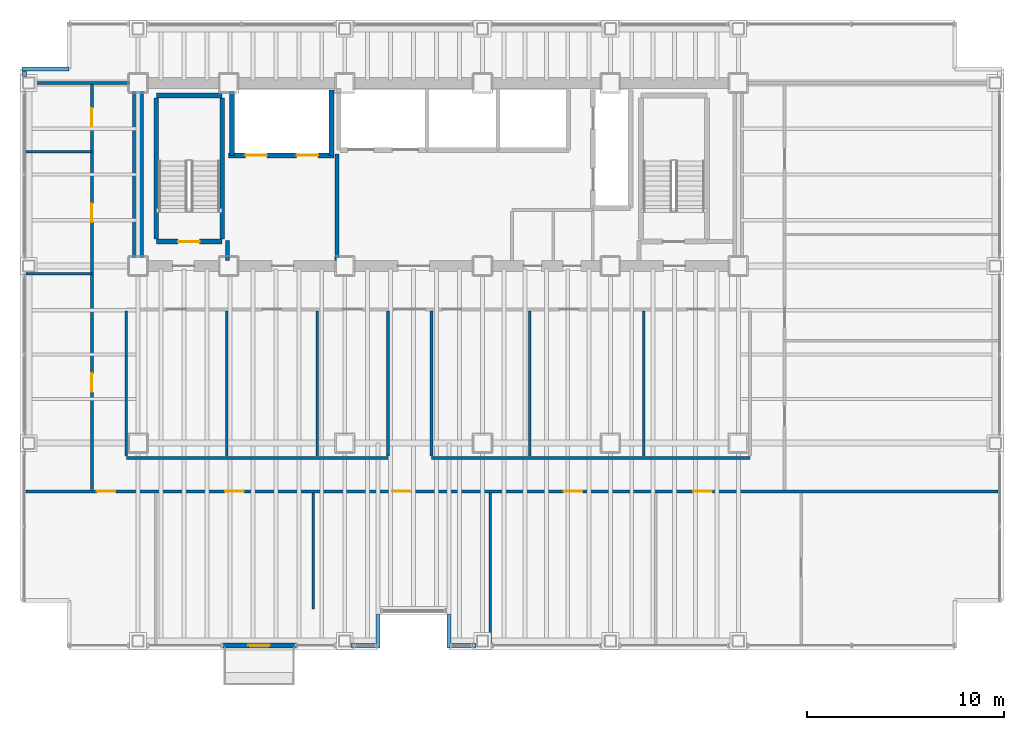
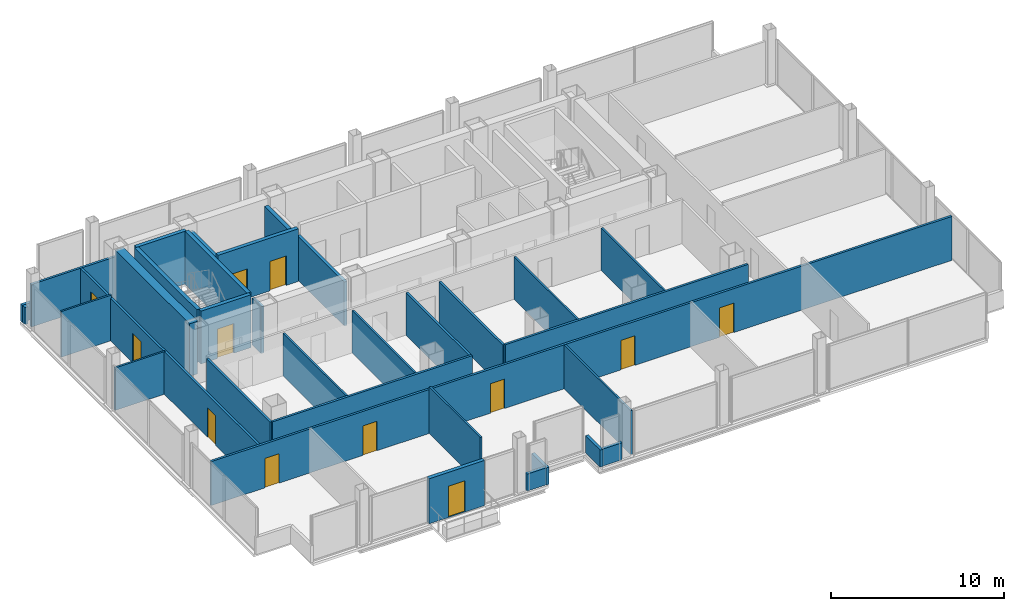
# One storey, part 18 of 21: 33 walls, 12 doors, 12 openings.
"""IFC4 building model written with IfcOpenShell, lengths in metres."""

from ifc_helpers import new_model, si_unit, direction, frame, frame_2d, origin, place, context, subcontext, project, spatial, rectangle, extrude, material, layer, layer_set, type_object, element, fill, save


model = new_model("IFC4")

# Units and contexts
model_context = context("Model", 3, precision=1e-05, world=origin(), true_north=direction((0.0, 1.0)))
body_context = subcontext(model_context, "Body", "Model", "MODEL_VIEW")
ifc_project = project(units=[si_unit("LENGTHUNIT", "METRE"), si_unit("AREAUNIT", "SQUARE_METRE"), si_unit("VOLUMEUNIT", "CUBIC_METRE"), si_unit("PLANEANGLEUNIT", "RADIAN"), si_unit("MASSUNIT", "GRAM", prefix="KILO")], contexts=[model_context])

# Site, building, storey
site_placement = place(None, origin())
site = spatial("IfcSite", under=ifc_project, at=site_placement, CompositionType="ELEMENT")
building_placement = place(site_placement, origin())
building = spatial("IfcBuilding", under=site, at=building_placement, Name="Noeulbin Bourse Tower", CompositionType="ELEMENT")
storey_placement = place(building_placement, frame((0.0, 0.0, 92.800048828125)))
storey = spatial("IfcBuildingStorey", under=building, at=storey_placement, Name="L23", CompositionType="ELEMENT", Elevation=92.800048828125)

# Wall
ifc_material_1 = material(Name="Concrete C60/75", Category="concrete")
ifc_layer_1 = layer(ifc_material_1, 0.550048828125)
ifc_layer_set_1 = layer_set([ifc_layer_1], Name="Concrete C60/75")
wall_type_1 = type_object("IfcWallType", Name="WAL-CORE-550", PredefinedType="SHEAR", material=ifc_layer_set_1)
wall_1_placement = place(storey_placement, frame((13.5, 29.35009765625, 0.0), z_axis=(0.0, 0.0, 1.0), x_axis=(0.0, 1.0, 0.0)))
element("IfcWall", 1, at=wall_1_placement, inside=storey, type_object=wall_type_1, Name="Rear Core West Shear Wall L23", PredefinedType="SHEAR", context=body_context, shape_type="SweptSolid", body=[
    extrude(rectangle(XDim=8.599853515625, YDim=0.550048828125, at=frame_2d((4.2998046875, 0.0))), origin(), (0.0, 0.0, 1.0), 3.719970703125),
])

# Wall, opening, door
ifc_material_2 = material(Name="Precast Concrete C40/50", Category="concrete")
ifc_layer_2 = layer(ifc_material_2, 0.25)
ifc_layer_set_2 = layer_set([ifc_layer_2], Name="Precast Concrete C40/50")
wall_type_2 = type_object("IfcWallType", Name="WAL-EXT-250", PredefinedType="STANDARD", material=ifc_layer_set_2)
wall_2_placement = place(storey_placement, frame((17.800048828125, 9.719970703125, 0.0), z_axis=(0.0, 0.0, 1.0), x_axis=(1.0, 0.0, 0.0)))
wall_2 = element("IfcWall", 2, at=wall_2_placement, inside=storey, type_object=wall_type_2, Name="Balcony Threshold Wall L23", PredefinedType="STANDARD", context=body_context, shape_type="SweptSolid", body=[
    extrude(rectangle(XDim=3.699951171875, YDim=0.25, at=frame_2d((1.85009765625, 0.0))), origin(), (0.0, 0.0, 1.0), 3.179931640625),
])
opening_1_placement = place(wall_2_placement, frame((1.300048828125, 0.0, 0.0)))
opening_1 = element("IfcOpeningElement", 3, at=opening_1_placement, cuts=wall_2, Name="Opening BD-11", PredefinedType="OPENING", context=body_context, shape_type="SweptSolid", body=[
    extrude(rectangle(XDim=1.10009765625, YDim=2.199951171875, at=frame_2d((0.550048828125, 1.10009765625))), frame((0.0, 0.135009765625, 0.0), z_axis=(0.0, -1.0, 0.0), x_axis=(1.0, 0.0, 0.0)), (0.0, 0.0, 1.0), 0.27001953125),
])
ifc_material_3 = material(Name="Thermally Broken Aluminium Framed Glass", Category="aluminium")
door_type_1 = type_object("IfcDoorType", Name="DR-BAL-1100", OperationType="SINGLE_SWING_LEFT", PredefinedType="DOOR", material=ifc_material_3)
door_1_placement = place(opening_1_placement, origin())
door_1 = element("IfcDoor", 4, at=door_1_placement, inside=storey, type_object=door_type_1, Name="Tree-Balcony Access Door BD-L23", OperationType="SINGLE_SWING_LEFT", OverallHeight=2.199951171875, OverallWidth=1.10009765625, PredefinedType="DOOR", context=body_context, shape_type="SweptSolid", body=[
    extrude(rectangle(XDim=1.10009765625, YDim=2.199951171875, at=frame_2d((0.550048828125, 1.10009765625))), frame((0.0, 0.02490234375, 0.0), z_axis=(0.0, -1.0, 0.0), x_axis=(1.0, 0.0, 0.0)), (0.0, 0.0, 1.0), 0.050048828125),
])
fill(opening_1, door_1)

# Walls
ifc_material_4 = material(Name="Concrete C40/50", Category="concrete")
ifc_layer_3 = layer(ifc_material_4, 0.199951171875)
ifc_layer_set_3 = layer_set([ifc_layer_3], Name="Concrete C40/50")
wall_type_3 = type_object("IfcWallType", Name="WAL-FIRE-200", PredefinedType="STANDARD", material=ifc_layer_set_3)
wall_3_placement = place(storey_placement, frame((18.050048828125, 29.284912109375, 0.0), z_axis=(0.0, 0.0, 1.0), x_axis=(0.0, 1.0, 0.0)))
element("IfcWall", 5, at=wall_3_placement, inside=storey, type_object=wall_type_3, Name="Interior Partition Wall L23-13", PredefinedType="STANDARD", context=body_context, shape_type="SweptSolid", body=[
    extrude(rectangle(XDim=1.01513671875, YDim=0.199951171875, at=frame_2d((0.507568359375, 0.0))), origin(), (0.0, 0.0, 1.0), 3.300048828125),
])
wall_4_placement = place(storey_placement, frame((23.60009765625, 29.284912109375, 0.0), z_axis=(0.0, 0.0, 1.0), x_axis=(0.0, 1.0, 0.0)))
element("IfcWall", 6, at=wall_4_placement, inside=storey, type_object=wall_type_3, Name="Interior Partition Wall L23-15", PredefinedType="STANDARD", context=body_context, shape_type="SweptSolid", body=[
    extrude(rectangle(XDim=5.4150390625, YDim=0.199951171875, at=frame_2d((2.70751953125, 0.0))), origin(), (0.0, 0.0, 1.0), 3.099853515625),
])
ifc_layer_4 = layer(ifc_material_4, 0.199951171875)
ifc_layer_set_4 = layer_set([ifc_layer_4], Name="Concrete C40/50")
wall_type_4 = type_object("IfcWallType", Name="WAL-PAR-200", PredefinedType="PARAPET", material=ifc_layer_set_4)
wall_5_placement = place(storey_placement, frame((7.719970703125, 38.6201171875, 0.0), z_axis=(0.0, 0.0, 1.0), x_axis=(0.0, 1.0, 0.0)))
element("IfcWall", 7, at=wall_5_placement, inside=storey, type_object=wall_type_4, Name="Perimeter Pier Spandrel Parapet L23-W1", PredefinedType="PARAPET", context=body_context, shape_type="SweptSolid", body=[
    extrude(rectangle(XDim=0.27978515625, YDim=0.199951171875, at=frame_2d((0.139892578125, 0.0))), origin(), (0.0, 0.0, 1.0), 1.199951171875),
])
for number, where, z_axis, x_axis, name in (
    (8, (24.320068359375, 9.719970703125, 0.0), (0.0, 0.0, 1.0), (1.0, 0.0, 0.0), "Perimeter Pier Spandrel Parapet L23-S3"),
    (9, (29.35009765625, 9.719970703125, 0.0), (0.0, 0.0, 1.0), (1.0, 0.0, 0.0), "Perimeter Pier Spandrel Parapet L23-S4"),
):
    element("IfcWall", number, at=place(storey_placement, frame(where, z_axis=z_axis, x_axis=x_axis)), inside=storey, type_object=wall_type_4, Name=name, PredefinedType="PARAPET", context=body_context, shape_type="SweptSolid", body=[
        extrude(rectangle(XDim=1.329833984375, YDim=0.199951171875, at=frame_2d((0.6650390625, 0.0))), origin(), (0.0, 0.0, 1.0), 1.199951171875),
    ])
wall_6_placement = place(storey_placement, frame((7.60009765625, 39.0, 0.0), z_axis=(0.0, 0.0, 1.0), x_axis=(1.0, 0.0, 0.0)))
element("IfcWall", 10, at=wall_6_placement, inside=storey, type_object=wall_type_4, Name="Corner Notch Parapet L23-NW1", PredefinedType="PARAPET", context=body_context, shape_type="SweptSolid", body=[
    extrude(rectangle(XDim=2.39990234375, YDim=0.199951171875, at=frame_2d((1.199951171875, 0.0))), origin(), (0.0, 0.0, 1.0), 1.199951171875),
])
for number, where, z_axis, x_axis, name in (
    (11, (25.699951171875, 9.60009765625, 0.0), (0.0, 0.0, 1.0), (0.0, 1.0, 0.0), "Sky-Garden Recess Parapet L23-W"),
    (12, (29.300048828125, 11.300048828125, 0.0), (0.0, 0.0, 1.0), (0.0, -1.0, 0.0), "Sky-Garden Recess Parapet L23-E"),
):
    element("IfcWall", number, at=place(storey_placement, frame(where, z_axis=z_axis, x_axis=x_axis)), inside=storey, type_object=wall_type_4, Name=name, PredefinedType="PARAPET", context=body_context, shape_type="SweptSolid", body=[
        extrude(rectangle(XDim=1.699951171875, YDim=0.199951171875, at=frame_2d((0.85009765625, 0.0))), origin(), (0.0, 0.0, 1.0), 1.199951171875),
    ])
ifc_material_5 = material(Name="Steel Stud Gypsum Partition", Category="steel")
ifc_layer_5 = layer(ifc_material_5, 0.1201171875)
ifc_layer_set_5 = layer_set([ifc_layer_5], Name="Steel Stud Gypsum Partition")
wall_type_5 = type_object("IfcWallType", Name="WAL-PRT-120", PredefinedType="PARTITIONING", material=ifc_layer_set_5)
wall_7_placement = place(storey_placement, frame((7.81005859375, 28.60009765625, 0.0), z_axis=(0.0, 0.0, 1.0), x_axis=(1.0, 0.0, 0.0)))
element("IfcWall", 13, at=wall_7_placement, inside=storey, type_object=wall_type_5, Name="Interior Partition Wall L23-09", PredefinedType="PARTITIONING", context=body_context, shape_type="SweptSolid", body=[
    extrude(rectangle(XDim=3.33984375, YDim=0.1201171875, at=frame_2d((1.669921875, 0.0))), origin(), (0.0, 0.0, 1.0), 3.0),
])
wall_8_placement = place(storey_placement, frame((7.81005859375, 34.800048828125, 0.0), z_axis=(0.0, 0.0, 1.0), x_axis=(1.0, 0.0, 0.0)))
element("IfcWall", 14, at=wall_8_placement, inside=storey, type_object=wall_type_5, Name="Interior Partition Wall L23-10", PredefinedType="PARTITIONING", context=body_context, shape_type="SweptSolid", body=[
    extrude(rectangle(XDim=3.33984375, YDim=0.1201171875, at=frame_2d((1.669921875, 0.0))), origin(), (0.0, 0.0, 1.0), 3.2119140625),
])
wall_9_placement = place(storey_placement, frame((22.39990234375, 11.570068359375, 0.0), z_axis=(0.0, 0.0, 1.0), x_axis=(0.0, 1.0, 0.0)))
element("IfcWall", 15, at=wall_9_placement, inside=storey, type_object=wall_type_5, Name="Interior Partition Wall L23-26", PredefinedType="PARTITIONING", context=body_context, shape_type="SweptSolid", body=[
    extrude(rectangle(XDim=5.89501953125, YDim=0.1201171875, at=frame_2d((2.947509765625, 0.0))), origin(), (0.0, 0.0, 1.0), 3.300048828125),
])
wall_10_placement = place(storey_placement, frame((31.39990234375, 9.81005859375, 0.0), z_axis=(0.0, 0.0, 1.0), x_axis=(0.0, 1.0, 0.0)))
element("IfcWall", 16, at=wall_10_placement, inside=storey, type_object=wall_type_5, Name="Interior Partition Wall L23-27", PredefinedType="PARTITIONING", context=body_context, shape_type="SweptSolid", body=[
    extrude(rectangle(XDim=7.655029296875, YDim=0.1201171875, at=frame_2d((3.82763671875, 0.0))), origin(), (0.0, 0.0, 1.0), 3.099853515625),
])
for number, where, z_axis, x_axis, name in (
    (17, (18.0, 19.3349609375, 0.0), (0.0, 0.0, 1.0), (0.0, 1.0, 0.0), "Interior Partition Wall L23-30"),
    (18, (22.60009765625, 19.3349609375, 0.0), (0.0, 0.0, 1.0), (0.0, 1.0, 0.0), "Interior Partition Wall L23-31"),
    (19, (33.39990234375, 19.3349609375, 0.0), (0.0, 0.0, 1.0), (0.0, 1.0, 0.0), "Interior Partition Wall L23-32"),
    (20, (39.199951171875, 19.3349609375, 0.0), (0.0, 0.0, 1.0), (0.0, 1.0, 0.0), "Interior Partition Wall L23-33"),
):
    element("IfcWall", number, at=place(storey_placement, frame(where, z_axis=z_axis, x_axis=x_axis)), inside=storey, type_object=wall_type_5, Name=name, PredefinedType="PARTITIONING", context=body_context, shape_type="SweptSolid", body=[
        extrude(rectangle(XDim=7.380126953125, YDim=0.1201171875, at=frame_2d((3.68994140625, 0.0))), origin(), (0.0, 0.0, 1.0), 3.0),
    ])

# Wall, openings, doors
ifc_material_6 = material(Name="Steel Stud Acoustic Gypsum Board", Category="steel")
ifc_layer_6 = layer(ifc_material_6, 0.14990234375)
ifc_layer_set_6 = layer_set([ifc_layer_6], Name="Steel Stud Acoustic Gypsum Board")
wall_type_6 = type_object("IfcWallType", Name="WAL-PRT-150", PredefinedType="PARTITIONING", material=ifc_layer_set_6)
wall_11_placement = place(storey_placement, frame((7.81005859375, 17.550048828125, 0.0), z_axis=(0.0, 0.0, 1.0), x_axis=(1.0, 0.0, 0.0)))
wall_11 = element("IfcWall", 21, at=wall_11_placement, inside=storey, type_object=wall_type_6, Name="Interior Partition Wall L23-04", PredefinedType="PARTITIONING", context=body_context, shape_type="SweptSolid", body=[
    extrude(rectangle(XDim=49.3798828125, YDim=0.14990234375, at=frame_2d((24.68994140625, 0.0))), origin(), (0.0, 0.0, 1.0), 3.099853515625),
])
opening_2_placement = place(wall_11_placement, frame((3.590087890625, 0.0, 0.0)))
opening_2 = element("IfcOpeningElement", 22, at=opening_2_placement, cuts=wall_11, Name="Opening ID-09", PredefinedType="OPENING", context=body_context, shape_type="SweptSolid", body=[
    extrude(rectangle(XDim=0.949951171875, YDim=2.080078125, at=frame_2d((0.47509765625, 1.0400390625))), frame((0.0, 0.0849609375, 0.0), z_axis=(0.0, -1.0, 0.0), x_axis=(1.0, 0.0, 0.0)), (0.0, 0.0, 1.0), 0.169921875),
])
opening_3_placement = place(wall_11_placement, frame((10.114990234375, 0.0, 0.0)))
opening_3 = element("IfcOpeningElement", 23, at=opening_3_placement, cuts=wall_11, Name="Opening ID-09", PredefinedType="OPENING", context=body_context, shape_type="SweptSolid", body=[
    extrude(rectangle(XDim=0.949951171875, YDim=2.080078125, at=frame_2d((0.47509765625, 1.0400390625))), frame((0.0, 0.0849609375, 0.0), z_axis=(0.0, -1.0, 0.0), x_axis=(1.0, 0.0, 0.0)), (0.0, 0.0, 1.0), 0.169921875),
])
opening_4_placement = place(wall_11_placement, frame((18.614990234375, 0.0, 0.0)))
opening_4 = element("IfcOpeningElement", 24, at=opening_4_placement, cuts=wall_11, Name="Opening ID-09", PredefinedType="OPENING", context=body_context, shape_type="SweptSolid", body=[
    extrude(rectangle(XDim=0.949951171875, YDim=2.080078125, at=frame_2d((0.47509765625, 1.0400390625))), frame((0.0, 0.0849609375, 0.0), z_axis=(0.0, -1.0, 0.0), x_axis=(1.0, 0.0, 0.0)), (0.0, 0.0, 1.0), 0.169921875),
])
opening_5_placement = place(wall_11_placement, frame((27.31494140625, 0.0, 0.0)))
opening_5 = element("IfcOpeningElement", 25, at=opening_5_placement, cuts=wall_11, Name="Opening ID-09", PredefinedType="OPENING", context=body_context, shape_type="SweptSolid", body=[
    extrude(rectangle(XDim=0.949951171875, YDim=2.080078125, at=frame_2d((0.47509765625, 1.0400390625))), frame((0.0, 0.0849609375, 0.0), z_axis=(0.0, -1.0, 0.0), x_axis=(1.0, 0.0, 0.0)), (0.0, 0.0, 1.0), 0.169921875),
])
opening_6_placement = place(wall_11_placement, frame((33.889892578125, 0.0, 0.0)))
opening_6 = element("IfcOpeningElement", 26, at=opening_6_placement, cuts=wall_11, Name="Opening ID-09", PredefinedType="OPENING", context=body_context, shape_type="SweptSolid", body=[
    extrude(rectangle(XDim=0.949951171875, YDim=2.080078125, at=frame_2d((0.47509765625, 1.0400390625))), frame((0.0, 0.0849609375, 0.0), z_axis=(0.0, -1.0, 0.0), x_axis=(1.0, 0.0, 0.0)), (0.0, 0.0, 1.0), 0.169921875),
])
ifc_material_7 = material(Name="Acoustic Solid-Core Timber", Category="wood")
door_type_2 = type_object("IfcDoorType", Name="DR-SINGLE-950", OperationType="SINGLE_SWING_LEFT", PredefinedType="DOOR", material=ifc_material_7)
door_2_placement = place(opening_2_placement, origin())
door_2 = element("IfcDoor", 27, at=door_2_placement, inside=storey, type_object=door_type_2, Name="Interior Door L23-08", OperationType="SINGLE_SWING_RIGHT", OverallHeight=2.080078125, OverallWidth=0.949951171875, PredefinedType="DOOR", context=body_context, shape_type="SweptSolid", body=[
    extrude(rectangle(XDim=0.949951171875, YDim=2.080078125, at=frame_2d((0.47509765625, 1.0400390625))), frame((0.0, 0.02490234375, 0.0), z_axis=(0.0, -1.0, 0.0), x_axis=(1.0, 0.0, 0.0)), (0.0, 0.0, 1.0), 0.050048828125),
])
fill(opening_2, door_2)
door_3_placement = place(opening_3_placement, origin())
door_3 = element("IfcDoor", 28, at=door_3_placement, inside=storey, type_object=door_type_2, Name="Interior Door L23-09", OperationType="SINGLE_SWING_LEFT", OverallHeight=2.080078125, OverallWidth=0.949951171875, PredefinedType="DOOR", context=body_context, shape_type="SweptSolid", body=[
    extrude(rectangle(XDim=0.949951171875, YDim=2.080078125, at=frame_2d((0.47509765625, 1.0400390625))), frame((0.0, 0.02490234375, 0.0), z_axis=(0.0, -1.0, 0.0), x_axis=(1.0, 0.0, 0.0)), (0.0, 0.0, 1.0), 0.050048828125),
])
fill(opening_3, door_3)
door_4_placement = place(opening_4_placement, origin())
door_4 = element("IfcDoor", 29, at=door_4_placement, inside=storey, type_object=door_type_2, Name="Interior Door L23-10", OperationType="SINGLE_SWING_RIGHT", OverallHeight=2.080078125, OverallWidth=0.949951171875, PredefinedType="DOOR", context=body_context, shape_type="SweptSolid", body=[
    extrude(rectangle(XDim=0.949951171875, YDim=2.080078125, at=frame_2d((0.47509765625, 1.0400390625))), frame((0.0, 0.02490234375, 0.0), z_axis=(0.0, -1.0, 0.0), x_axis=(1.0, 0.0, 0.0)), (0.0, 0.0, 1.0), 0.050048828125),
])
fill(opening_4, door_4)
door_5_placement = place(opening_5_placement, origin())
door_5 = element("IfcDoor", 30, at=door_5_placement, inside=storey, type_object=door_type_2, Name="Interior Door L23-11", OperationType="SINGLE_SWING_LEFT", OverallHeight=2.080078125, OverallWidth=0.949951171875, PredefinedType="DOOR", context=body_context, shape_type="SweptSolid", body=[
    extrude(rectangle(XDim=0.949951171875, YDim=2.080078125, at=frame_2d((0.47509765625, 1.0400390625))), frame((0.0, 0.02490234375, 0.0), z_axis=(0.0, -1.0, 0.0), x_axis=(1.0, 0.0, 0.0)), (0.0, 0.0, 1.0), 0.050048828125),
])
fill(opening_5, door_5)
door_6_placement = place(opening_6_placement, origin())
door_6 = element("IfcDoor", 31, at=door_6_placement, inside=storey, type_object=door_type_2, Name="Interior Door L23-12", OperationType="SINGLE_SWING_RIGHT", OverallHeight=2.080078125, OverallWidth=0.949951171875, PredefinedType="DOOR", context=body_context, shape_type="SweptSolid", body=[
    extrude(rectangle(XDim=0.949951171875, YDim=2.080078125, at=frame_2d((0.47509765625, 1.0400390625))), frame((0.0, 0.02490234375, 0.0), z_axis=(0.0, -1.0, 0.0), x_axis=(1.0, 0.0, 0.0)), (0.0, 0.0, 1.0), 0.050048828125),
])
fill(opening_6, door_6)

# Walls
wall_12_placement = place(storey_placement, frame((12.89990234375, 19.25, 0.0), z_axis=(0.0, 0.0, 1.0), x_axis=(1.0, 0.0, 0.0)))
element("IfcWall", 32, at=wall_12_placement, inside=storey, type_object=wall_type_6, Name="Interior Partition Wall L23-05", PredefinedType="PARTITIONING", context=body_context, shape_type="SweptSolid", body=[
    extrude(rectangle(XDim=13.300048828125, YDim=0.14990234375, at=frame_2d((6.64990234375, 0.0))), origin(), (0.0, 0.0, 1.0), 3.099853515625),
])
wall_13_placement = place(storey_placement, frame((28.39990234375, 19.25, 0.0), z_axis=(0.0, 0.0, 1.0), x_axis=(1.0, 0.0, 0.0)))
element("IfcWall", 33, at=wall_13_placement, inside=storey, type_object=wall_type_6, Name="Interior Partition Wall L23-06", PredefinedType="PARTITIONING", context=body_context, shape_type="SweptSolid", body=[
    extrude(rectangle(XDim=16.2001953125, YDim=0.14990234375, at=frame_2d((8.10009765625, 0.0))), origin(), (0.0, 0.0, 1.0), 3.099853515625),
])
wall_14_placement = place(storey_placement, frame((7.81005859375, 38.300048828125, 0.0), z_axis=(0.0, 0.0, 1.0), x_axis=(1.0, 0.0, 0.0)))
element("IfcWall", 34, at=wall_14_placement, inside=storey, type_object=wall_type_6, Name="Interior Partition Wall L23-07", PredefinedType="PARTITIONING", context=body_context, shape_type="SweptSolid", body=[
    extrude(rectangle(XDim=5.68994140625, YDim=0.14990234375, at=frame_2d((2.844970703125, 0.0))), origin(), (0.0, 0.0, 1.0), 3.0),
])
for number, where, z_axis, x_axis, name in (
    (35, (26.199951171875, 19.3349609375, 0.0), (0.0, 0.0, 1.0), (0.0, 1.0, 0.0), "Interior Partition Wall L23-19"),
    (36, (28.39990234375, 19.3349609375, 0.0), (0.0, 0.0, 1.0), (0.0, 1.0, 0.0), "Interior Partition Wall L23-20"),
):
    element("IfcWall", number, at=place(storey_placement, frame(where, z_axis=z_axis, x_axis=x_axis)), inside=storey, type_object=wall_type_6, Name=name, PredefinedType="PARTITIONING", context=body_context, shape_type="SweptSolid", body=[
        extrude(rectangle(XDim=7.380126953125, YDim=0.14990234375, at=frame_2d((3.68994140625, 0.0))), origin(), (0.0, 0.0, 1.0), 3.0),
    ])

# Wall, openings, doors
wall_15_placement = place(storey_placement, frame((11.14990234375, 17.635009765625, 0.0), z_axis=(0.0, 0.0, 1.0), x_axis=(0.0, 1.0, 0.0)))
wall_15 = element("IfcWall", 37, at=wall_15_placement, inside=storey, type_object=wall_type_6, Name="Interior Partition Wall L23-21", PredefinedType="PARTITIONING", context=body_context, shape_type="SweptSolid", body=[
    extrude(rectangle(XDim=20.580078125, YDim=0.14990234375, at=frame_2d((10.2900390625, 0.0))), origin(), (0.0, 0.0, 1.0), 3.0),
])
opening_7_placement = place(wall_15_placement, frame((4.965087890625, 0.0, 0.0)))
opening_7 = element("IfcOpeningElement", 38, at=opening_7_placement, cuts=wall_15, Name="Opening ID-09", PredefinedType="OPENING", context=body_context, shape_type="SweptSolid", body=[
    extrude(rectangle(XDim=0.949951171875, YDim=2.080078125, at=frame_2d((0.47509765625, 1.0400390625))), frame((0.0, 0.0849609375, 0.0), z_axis=(0.0, -1.0, 0.0), x_axis=(1.0, 0.0, 0.0)), (0.0, 0.0, 1.0), 0.169921875),
])
opening_8_placement = place(wall_15_placement, frame((13.590087890625, 0.0, 0.0)))
opening_8 = element("IfcOpeningElement", 39, at=opening_8_placement, cuts=wall_15, Name="Opening ID-09", PredefinedType="OPENING", context=body_context, shape_type="SweptSolid", body=[
    extrude(rectangle(XDim=0.949951171875, YDim=2.080078125, at=frame_2d((0.47509765625, 1.0400390625))), frame((0.0, 0.0849609375, 0.0), z_axis=(0.0, -1.0, 0.0), x_axis=(1.0, 0.0, 0.0)), (0.0, 0.0, 1.0), 0.169921875),
])
opening_9_placement = place(wall_15_placement, frame((18.43994140625, 0.0, 0.0)))
opening_9 = element("IfcOpeningElement", 40, at=opening_9_placement, cuts=wall_15, Name="Opening ID-09", PredefinedType="OPENING", context=body_context, shape_type="SweptSolid", body=[
    extrude(rectangle(XDim=0.949951171875, YDim=2.080078125, at=frame_2d((0.47509765625, 1.0400390625))), frame((0.0, 0.0849609375, 0.0), z_axis=(0.0, -1.0, 0.0), x_axis=(1.0, 0.0, 0.0)), (0.0, 0.0, 1.0), 0.169921875),
])
door_7_placement = place(opening_7_placement, origin())
door_7 = element("IfcDoor", 41, at=door_7_placement, inside=storey, type_object=door_type_2, Name="Interior Door L23-20", OperationType="SINGLE_SWING_RIGHT", OverallHeight=2.080078125, OverallWidth=0.949951171875, PredefinedType="DOOR", context=body_context, shape_type="SweptSolid", body=[
    extrude(rectangle(XDim=0.949951171875, YDim=2.080078125, at=frame_2d((0.47509765625, 1.0400390625))), frame((0.0, 0.02490234375, 0.0), z_axis=(0.0, -1.0, 0.0), x_axis=(1.0, 0.0, 0.0)), (0.0, 0.0, 1.0), 0.050048828125),
])
fill(opening_7, door_7)
door_8_placement = place(opening_8_placement, origin())
door_8 = element("IfcDoor", 42, at=door_8_placement, inside=storey, type_object=door_type_2, Name="Interior Door L23-21", OperationType="SINGLE_SWING_LEFT", OverallHeight=2.080078125, OverallWidth=0.949951171875, PredefinedType="DOOR", context=body_context, shape_type="SweptSolid", body=[
    extrude(rectangle(XDim=0.949951171875, YDim=2.080078125, at=frame_2d((0.47509765625, 1.0400390625))), frame((0.0, 0.02490234375, 0.0), z_axis=(0.0, -1.0, 0.0), x_axis=(1.0, 0.0, 0.0)), (0.0, 0.0, 1.0), 0.050048828125),
])
fill(opening_8, door_8)
door_9_placement = place(opening_9_placement, origin())
door_9 = element("IfcDoor", 43, at=door_9_placement, inside=storey, type_object=door_type_2, Name="Interior Door L23-22", OperationType="SINGLE_SWING_RIGHT", OverallHeight=2.080078125, OverallWidth=0.949951171875, PredefinedType="DOOR", context=body_context, shape_type="SweptSolid", body=[
    extrude(rectangle(XDim=0.949951171875, YDim=2.080078125, at=frame_2d((0.47509765625, 1.0400390625))), frame((0.0, 0.02490234375, 0.0), z_axis=(0.0, -1.0, 0.0), x_axis=(1.0, 0.0, 0.0)), (0.0, 0.0, 1.0), 0.050048828125),
])
fill(opening_9, door_9)

# Wall
wall_16_placement = place(storey_placement, frame((12.89990234375, 19.3349609375, 0.0), z_axis=(0.0, 0.0, 1.0), x_axis=(0.0, 1.0, 0.0)))
element("IfcWall", 44, at=wall_16_placement, inside=storey, type_object=wall_type_6, Name="Interior Partition Wall L23-22", PredefinedType="PARTITIONING", context=body_context, shape_type="SweptSolid", body=[
    extrude(rectangle(XDim=7.380126953125, YDim=0.14990234375, at=frame_2d((3.68994140625, 0.0))), origin(), (0.0, 0.0, 1.0), 3.0),
])

# Wall, opening, door
ifc_layer_7 = layer(ifc_material_4, 0.25)
ifc_layer_set_7 = layer_set([ifc_layer_7], Name="Concrete C40/50")
wall_type_7 = type_object("IfcWallType", Name="WAL-SHFT-250", PredefinedType="STANDARD", material=ifc_layer_set_7)
wall_17_placement = place(storey_placement, frame((14.429931640625, 30.235107421875, 0.0), z_axis=(0.0, 0.0, 1.0), x_axis=(1.0, 0.0, 0.0)))
wall_17 = element("IfcWall", 45, at=wall_17_placement, inside=storey, type_object=wall_type_7, Name="Stair ST-1 South Shaft Wall L23", PredefinedType="STANDARD", context=body_context, shape_type="SweptSolid", body=[
    extrude(rectangle(XDim=3.340087890625, YDim=0.25, at=frame_2d((1.669921875, 0.0))), origin(), (0.0, 0.0, 1.0), 3.719970703125),
])
opening_10_placement = place(wall_17_placement, frame((1.10009765625, 0.0, 0.0)))
opening_10 = element("IfcOpeningElement", 46, at=opening_10_placement, cuts=wall_17, Name="Opening FD-11", PredefinedType="OPENING", context=body_context, shape_type="SweptSolid", body=[
    extrude(rectangle(XDim=1.10009765625, YDim=2.080078125, at=frame_2d((0.550048828125, 1.0400390625))), frame((0.0, 0.135009765625, 0.0), z_axis=(0.0, -1.0, 0.0), x_axis=(1.0, 0.0, 0.0)), (0.0, 0.0, 1.0), 0.27001953125),
])
ifc_material_8 = material(Name="Fire-Rated Insulated Steel", Category="steel")
door_type_3 = type_object("IfcDoorType", Name="DR-FD60-1100", OperationType="SINGLE_SWING_LEFT", PredefinedType="DOOR", material=ifc_material_8)
door_10_placement = place(opening_10_placement, origin())
door_10 = element("IfcDoor", 47, at=door_10_placement, inside=storey, type_object=door_type_3, Name="Protected Stair Entry Door ST1-L23", OperationType="SINGLE_SWING_LEFT", OverallHeight=2.080078125, OverallWidth=1.10009765625, PredefinedType="DOOR", context=body_context, shape_type="SweptSolid", body=[
    extrude(rectangle(XDim=1.10009765625, YDim=2.080078125, at=frame_2d((0.550048828125, 1.0400390625))), frame((0.0, 0.02490234375, 0.0), z_axis=(0.0, -1.0, 0.0), x_axis=(1.0, 0.0, 0.0)), (0.0, 0.0, 1.0), 0.050048828125),
])
fill(opening_10, door_10)

# Walls
wall_18_placement = place(storey_placement, frame((14.429931640625, 37.6689453125, 0.0), z_axis=(0.0, 0.0, 1.0), x_axis=(1.0, 0.0, 0.0)))
element("IfcWall", 48, at=wall_18_placement, inside=storey, type_object=wall_type_7, Name="Stair ST-1 North Shaft Wall L23", PredefinedType="STANDARD", context=body_context, shape_type="SweptSolid", body=[
    extrude(rectangle(XDim=3.340087890625, YDim=0.25, at=frame_2d((1.669921875, 0.0))), origin(), (0.0, 0.0, 1.0), 3.719970703125),
])
for number, where, z_axis, x_axis, name in (
    (49, (14.425048828125, 30.360107421875, 0.0), (0.0, 0.0, 1.0), (0.0, 1.0, 0.0), "Stair ST-1 West Shaft Wall L23"),
    (50, (17.77490234375, 30.360107421875, 0.0), (0.0, 0.0, 1.0), (0.0, 1.0, 0.0), "Stair ST-1 East Shaft Wall L23"),
):
    element("IfcWall", number, at=place(storey_placement, frame(where, z_axis=z_axis, x_axis=x_axis)), inside=storey, type_object=wall_type_7, Name=name, PredefinedType="STANDARD", context=body_context, shape_type="SweptSolid", body=[
        extrude(rectangle(XDim=7.183837890625, YDim=0.25, at=frame_2d((3.591796875, 0.0))), origin(), (0.0, 0.0, 1.0), 3.719970703125),
    ])

# Wall, openings, doors
wall_19_placement = place(storey_placement, frame((18.10009765625, 34.6201171875, 0.0), z_axis=(0.0, 0.0, 1.0), x_axis=(1.0, 0.0, 0.0)))
wall_19 = element("IfcWall", 51, at=wall_19_placement, inside=storey, type_object=wall_type_7, Name="Firefighting Lift Shaft Front L23", PredefinedType="STANDARD", context=body_context, shape_type="SweptSolid", body=[
    extrude(rectangle(XDim=5.349853515625, YDim=0.25, at=frame_2d((2.6748046875, 0.0))), origin(), (0.0, 0.0, 1.0), 3.719970703125),
])
opening_11_placement = place(wall_19_placement, frame((0.85009765625, 0.0, 0.0)))
opening_11 = element("IfcOpeningElement", 52, at=opening_11_placement, cuts=wall_19, Name="Opening LD-11", PredefinedType="OPENING", context=body_context, shape_type="SweptSolid", body=[
    extrude(rectangle(XDim=1.10009765625, YDim=2.080078125, at=frame_2d((0.550048828125, 1.0400390625))), frame((0.0, 0.135009765625, 0.0), z_axis=(0.0, -1.0, 0.0), x_axis=(1.0, 0.0, 0.0)), (0.0, 0.0, 1.0), 0.27001953125),
])
opening_12_placement = place(wall_19_placement, frame((3.449951171875, 0.0, 0.0)))
opening_12 = element("IfcOpeningElement", 53, at=opening_12_placement, cuts=wall_19, Name="Opening LD-11", PredefinedType="OPENING", context=body_context, shape_type="SweptSolid", body=[
    extrude(rectangle(XDim=1.10009765625, YDim=2.080078125, at=frame_2d((0.550048828125, 1.0400390625))), frame((0.0, 0.135009765625, 0.0), z_axis=(0.0, -1.0, 0.0), x_axis=(1.0, 0.0, 0.0)), (0.0, 0.0, 1.0), 0.27001953125),
])
ifc_material_9 = material(Name="Brushed Stainless Steel 316", Category="steel")
door_type_4 = type_object("IfcDoorType", Name="DR-LIFT-1100", OperationType="SLIDING_TO_LEFT", PredefinedType="DOOR", material=ifc_material_9)
door_11_placement = place(opening_11_placement, origin())
door_11 = element("IfcDoor", 54, at=door_11_placement, inside=storey, type_object=door_type_4, Name="Lift Landing Door LD-FL-01-L23", OperationType="SLIDING_TO_LEFT", OverallHeight=2.080078125, OverallWidth=1.10009765625, PredefinedType="DOOR", context=body_context, shape_type="SweptSolid", body=[
    extrude(rectangle(XDim=1.10009765625, YDim=2.080078125, at=frame_2d((0.550048828125, 1.0400390625))), frame((0.0, 0.02490234375, 0.0), z_axis=(0.0, -1.0, 0.0), x_axis=(1.0, 0.0, 0.0)), (0.0, 0.0, 1.0), 0.050048828125),
])
fill(opening_11, door_11)
door_12_placement = place(opening_12_placement, origin())
door_12 = element("IfcDoor", 55, at=door_12_placement, inside=storey, type_object=door_type_4, Name="Lift Landing Door LD-FL-02-L23", OperationType="SLIDING_TO_LEFT", OverallHeight=2.080078125, OverallWidth=1.10009765625, PredefinedType="DOOR", context=body_context, shape_type="SweptSolid", body=[
    extrude(rectangle(XDim=1.10009765625, YDim=2.080078125, at=frame_2d((0.550048828125, 1.0400390625))), frame((0.0, 0.02490234375, 0.0), z_axis=(0.0, -1.0, 0.0), x_axis=(1.0, 0.0, 0.0)), (0.0, 0.0, 1.0), 0.050048828125),
])
fill(opening_12, door_12)

# Walls
for number, where, z_axis, x_axis, name in (
    (56, (18.280029296875, 34.6201171875, 0.0), (0.0, 0.0, 1.0), (0.0, 1.0, 0.0), "Firefighting Lift West Shaft Wall L23"),
    (57, (23.320068359375, 34.6201171875, 0.0), (0.0, 0.0, 1.0), (0.0, 1.0, 0.0), "Firefighting Lift East Shaft Wall L23"),
):
    element("IfcWall", number, at=place(storey_placement, frame(where, z_axis=z_axis, x_axis=x_axis)), inside=storey, type_object=wall_type_7, Name=name, PredefinedType="STANDARD", context=body_context, shape_type="SweptSolid", body=[
        extrude(rectangle(XDim=3.329833984375, YDim=0.25, at=frame_2d((1.6650390625, 0.0))), origin(), (0.0, 0.0, 1.0), 3.300048828125),
    ])

save(model, "model.ifc")
